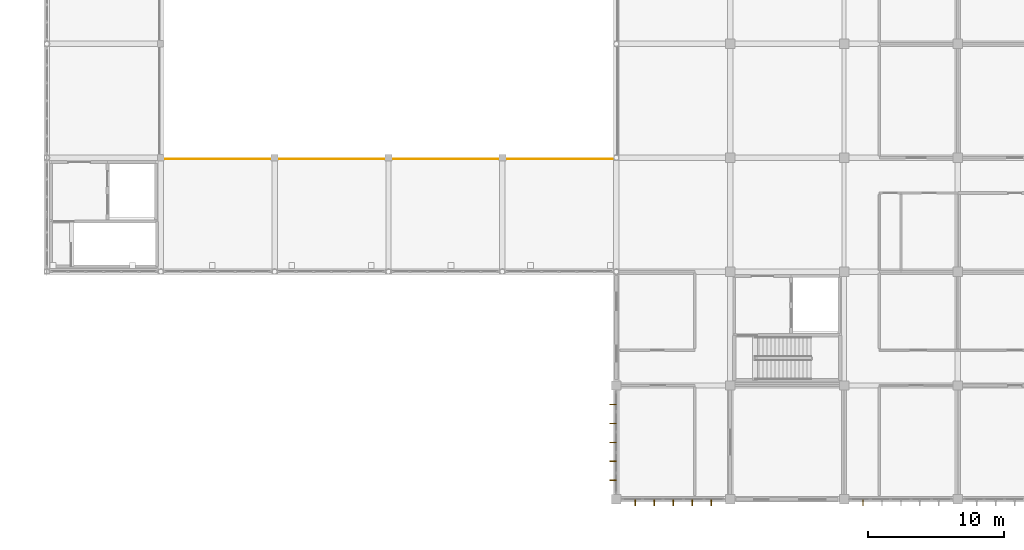
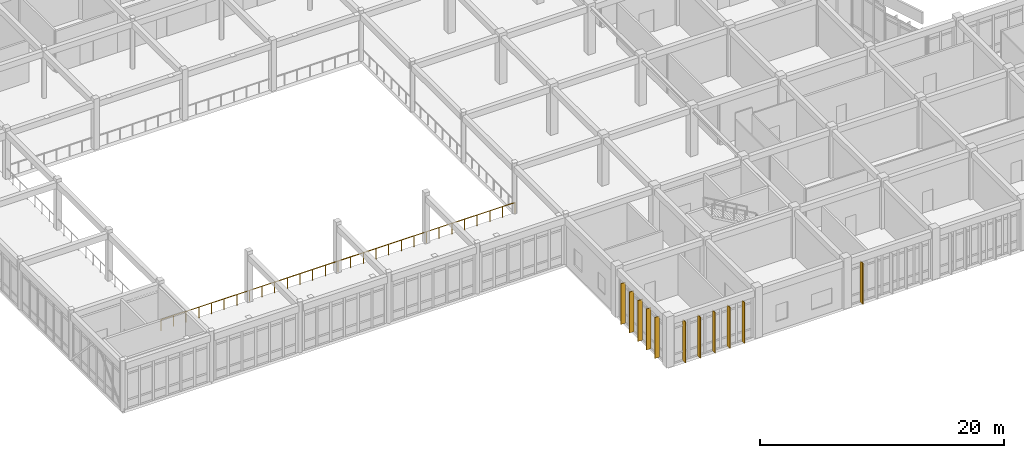
# One storey, part 118 of 134: 11 shading devices, 1 railing.
"""IFC4 building model written with IfcOpenShell, lengths in metres."""

from ifc_helpers import new_model, si_unit, direction, frame, origin, origin_2d, place, context, subcontext, project, spatial, rectangle, circle, extrude, material, material_profile, profile_set, type_object, element, save


model = new_model("IFC4")

# Units and contexts
model_context = context("Model", 3, precision=1e-05, world=origin(), true_north=direction((0.0, 1.0)))
body_context = subcontext(model_context, "Body", "Model", "MODEL_VIEW")
ifc_project = project(units=[si_unit("LENGTHUNIT", "METRE"), si_unit("AREAUNIT", "SQUARE_METRE"), si_unit("VOLUMEUNIT", "CUBIC_METRE"), si_unit("PLANEANGLEUNIT", "RADIAN"), si_unit("MASSUNIT", "GRAM", prefix="KILO")], contexts=[model_context])

# Site, building, storey
site_placement = place(None, origin())
site = spatial("IfcSite", under=ifc_project, at=site_placement, CompositionType="ELEMENT")
building_placement = place(site_placement, origin())
building = spatial("IfcBuilding", under=site, at=building_placement, Name="Bramfleet General Hospital", CompositionType="ELEMENT")
storey_placement = place(building_placement, frame((0.0, 0.0, 9.300048828125)))
storey = spatial("IfcBuildingStorey", under=building, at=storey_placement, Name="L02", CompositionType="ELEMENT", Elevation=9.300048828125)

# Railing
ifc_material_1 = material(Name="Stainless steel 1.4401 safety balustrade", Category="steel")
railing_type = type_object("IfcRailingType", Name="RAIL-EXT-GUARD", PredefinedType="GUARDRAIL", material=ifc_material_1)
railing_placement = place(storey_placement, frame((58.81005859375, 25.10009765625, 0.0)))
element("IfcRailing", 1, at=railing_placement, inside=storey, type_object=railing_type, Name="L02 Safety Guard Rail 113", PredefinedType="GUARDRAIL", context=body_context, shape_type="SweptSolid", body=[
    extrude(circle(Radius=0.02392578125, at=origin_2d()), frame((0.0, 0.0, 1.076171875), z_axis=(1.0, 0.0, 0.0), x_axis=(0.0, 1.0, 0.0)), (0.0, 0.0, 1.0), 33.579833984375),
    extrude(circle(Radius=0.02099609375, at=origin_2d()), origin(), (0.0, 0.0, 1.0), 1.052001953125),
    extrude(circle(Radius=0.02099609375, at=origin_2d()), frame((1.19921875, 0.0, 0.0)), (0.0, 0.0, 1.0), 1.052001953125),
    extrude(circle(Radius=0.02099609375, at=origin_2d()), frame((2.3984375, 0.0, 0.0)), (0.0, 0.0, 1.0), 1.052001953125),
    extrude(circle(Radius=0.02099609375, at=origin_2d()), frame((3.597900390625, 0.0, 0.0)), (0.0, 0.0, 1.0), 1.052001953125),
    extrude(circle(Radius=0.02099609375, at=origin_2d()), frame((4.797119140625, 0.0, 0.0)), (0.0, 0.0, 1.0), 1.052001953125),
    extrude(circle(Radius=0.02099609375, at=origin_2d()), frame((5.996337890625, 0.0, 0.0)), (0.0, 0.0, 1.0), 1.052001953125),
    extrude(circle(Radius=0.02099609375, at=origin_2d()), frame((7.19580078125, 0.0, 0.0)), (0.0, 0.0, 1.0), 1.052001953125),
    extrude(circle(Radius=0.02099609375, at=origin_2d()), frame((8.39501953125, 0.0, 0.0)), (0.0, 0.0, 1.0), 1.052001953125),
    extrude(circle(Radius=0.02099609375, at=origin_2d()), frame((9.59423828125, 0.0, 0.0)), (0.0, 0.0, 1.0), 1.052001953125),
    extrude(circle(Radius=0.02099609375, at=origin_2d()), frame((10.79345703125, 0.0, 0.0)), (0.0, 0.0, 1.0), 1.052001953125),
    extrude(circle(Radius=0.02099609375, at=origin_2d()), frame((11.99267578125, 0.0, 0.0)), (0.0, 0.0, 1.0), 1.052001953125),
    extrude(circle(Radius=0.02099609375, at=origin_2d()), frame((13.192138671875, 0.0, 0.0)), (0.0, 0.0, 1.0), 1.052001953125),
    extrude(circle(Radius=0.02099609375, at=origin_2d()), frame((14.391357421875, 0.0, 0.0)), (0.0, 0.0, 1.0), 1.052001953125),
    extrude(circle(Radius=0.02099609375, at=origin_2d()), frame((15.590576171875, 0.0, 0.0)), (0.0, 0.0, 1.0), 1.052001953125),
    extrude(circle(Radius=0.02099609375, at=origin_2d()), frame((16.7900390625, 0.0, 0.0)), (0.0, 0.0, 1.0), 1.052001953125),
    extrude(circle(Radius=0.02099609375, at=origin_2d()), frame((17.9892578125, 0.0, 0.0)), (0.0, 0.0, 1.0), 1.052001953125),
    extrude(circle(Radius=0.02099609375, at=origin_2d()), frame((19.1884765625, 0.0, 0.0)), (0.0, 0.0, 1.0), 1.052001953125),
    extrude(circle(Radius=0.02099609375, at=origin_2d()), frame((20.3876953125, 0.0, 0.0)), (0.0, 0.0, 1.0), 1.052001953125),
    extrude(circle(Radius=0.02099609375, at=origin_2d()), frame((21.5869140625, 0.0, 0.0)), (0.0, 0.0, 1.0), 1.052001953125),
    extrude(circle(Radius=0.02099609375, at=origin_2d()), frame((22.786376953125, 0.0, 0.0)), (0.0, 0.0, 1.0), 1.052001953125),
    extrude(circle(Radius=0.02099609375, at=origin_2d()), frame((23.985595703125, 0.0, 0.0)), (0.0, 0.0, 1.0), 1.052001953125),
    extrude(circle(Radius=0.02099609375, at=origin_2d()), frame((25.184814453125, 0.0, 0.0)), (0.0, 0.0, 1.0), 1.052001953125),
    extrude(circle(Radius=0.02099609375, at=origin_2d()), frame((26.38427734375, 0.0, 0.0)), (0.0, 0.0, 1.0), 1.052001953125),
    extrude(circle(Radius=0.02099609375, at=origin_2d()), frame((27.58349609375, 0.0, 0.0)), (0.0, 0.0, 1.0), 1.052001953125),
    extrude(circle(Radius=0.02099609375, at=origin_2d()), frame((28.78271484375, 0.0, 0.0)), (0.0, 0.0, 1.0), 1.052001953125),
    extrude(circle(Radius=0.02099609375, at=origin_2d()), frame((29.98193359375, 0.0, 0.0)), (0.0, 0.0, 1.0), 1.052001953125),
    extrude(circle(Radius=0.02099609375, at=origin_2d()), frame((31.18115234375, 0.0, 0.0)), (0.0, 0.0, 1.0), 1.052001953125),
    extrude(circle(Radius=0.02099609375, at=origin_2d()), frame((32.380615234375, 0.0, 0.0)), (0.0, 0.0, 1.0), 1.052001953125),
    extrude(circle(Radius=0.02099609375, at=origin_2d()), frame((33.579833984375, 0.0, 0.0)), (0.0, 0.0, 1.0), 1.052001953125),
])

# Shading devices
ifc_material_2 = material(Name="Treated European larch timber", Category="wood")
ifc_material_profile = material_profile(ifc_material_2, rectangle(XDim=0.06494140625, YDim=0.449951171875, at=origin_2d()), Name="LARCH FIN 450x65")
ifc_profile_set = profile_set([ifc_material_profile], Name="Treated European larch timber")
shading_device_type = type_object("IfcShadingDeviceType", Name="SHD-FIN-450", PredefinedType="USERDEFINED", material=ifc_profile_set)
for number, where, z_axis, x_axis, name in (
    (2, (110.60009765625, -0.239990234375, -0.02001953125), (0.0, 0.0, 1.0), (-1.0, 0.0, 0.0), "L02 Larch Timber Shading Fin 488"),
    (3, (99.39990234375, -0.239990234375, -0.02001953125), (0.0, 0.0, 1.0), (-1.0, 0.0, 0.0), "L02 Larch Timber Shading Fin 489"),
    (4, (98.0, -0.239990234375, -0.02001953125), (0.0, 0.0, 1.0), (-1.0, 0.0, 0.0), "L02 Larch Timber Shading Fin 490"),
    (5, (96.60009765625, -0.239990234375, -0.02001953125), (0.0, 0.0, 1.0), (-1.0, 0.0, 0.0), "L02 Larch Timber Shading Fin 491"),
    (6, (95.199951171875, -0.239990234375, -0.02001953125), (0.0, 0.0, 1.0), (-1.0, 0.0, 0.0), "L02 Larch Timber Shading Fin 492"),
    (7, (93.800048828125, -0.239990234375, -0.02001953125), (0.0, 0.0, 1.0), (-1.0, 0.0, 0.0), "L02 Larch Timber Shading Fin 493"),
    (8, (92.159912109375, 1.39990234375, -0.02001953125), (0.0, 0.0, 1.0), (0.0, 1.0, 0.0), "L02 Larch Timber Shading Fin 494"),
    (9, (92.159912109375, 2.800048828125, -0.02001953125), (0.0, 0.0, 1.0), (0.0, 1.0, 0.0), "L02 Larch Timber Shading Fin 495"),
    (10, (92.159912109375, 4.199951171875, -0.02001953125), (0.0, 0.0, 1.0), (0.0, 1.0, 0.0), "L02 Larch Timber Shading Fin 496"),
    (11, (92.159912109375, 5.60009765625, -0.02001953125), (0.0, 0.0, 1.0), (0.0, 1.0, 0.0), "L02 Larch Timber Shading Fin 497"),
    (12, (92.159912109375, 7.0, -0.02001953125), (0.0, 0.0, 1.0), (0.0, 1.0, 0.0), "L02 Larch Timber Shading Fin 498"),
):
    element("IfcShadingDevice", number, at=place(storey_placement, frame(where, z_axis=z_axis, x_axis=x_axis)), inside=storey, type_object=shading_device_type, Name=name, ObjectType="Fin", PredefinedType="USERDEFINED", context=body_context, shape_type="SweptSolid", body=[
        extrude(rectangle(XDim=0.06494140625, YDim=0.449951171875, at=origin_2d()), origin(), (0.0, 0.0, 1.0), 4.099853515625),
    ])

save(model, "model.ifc")
